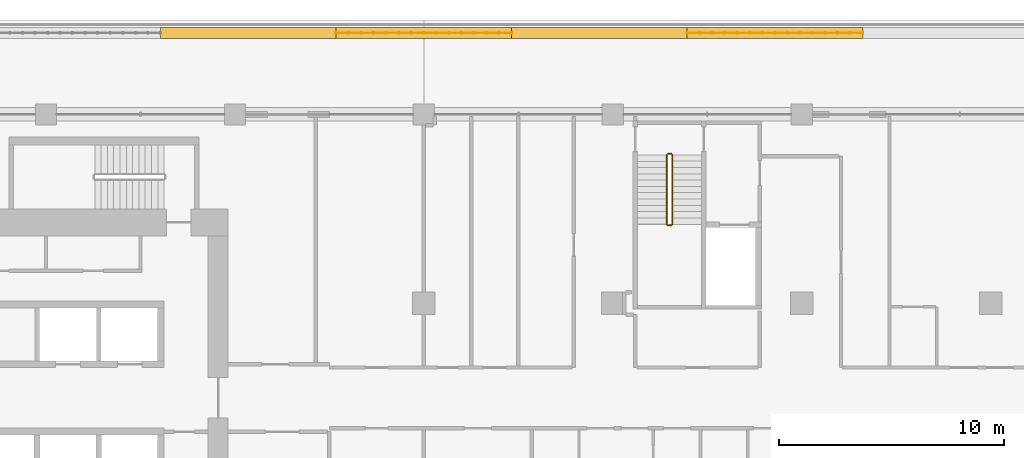
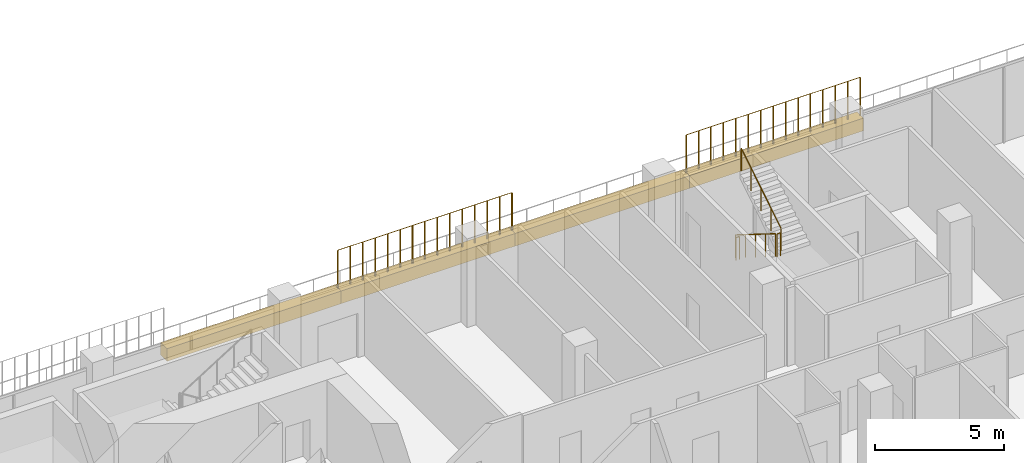
# One storey, part 21 of 22: 6 railings, 4 coverings.
"""IFC4 building model written with IfcOpenShell, lengths in metres."""

from ifc_helpers import new_model, si_unit, direction, frame, origin, origin_2d, place, context, subcontext, project, spatial, rectangle, circle, extrude, material, material_profile, profile_set, type_object, element, save


model = new_model("IFC4")

# Units and contexts
model_context = context("Model", 3, precision=1e-05, world=origin(), true_north=direction((0.0, 1.0)))
body_context = subcontext(model_context, "Body", "Model", "MODEL_VIEW")
ifc_project = project(units=[si_unit("LENGTHUNIT", "METRE"), si_unit("AREAUNIT", "SQUARE_METRE"), si_unit("VOLUMEUNIT", "CUBIC_METRE"), si_unit("PLANEANGLEUNIT", "RADIAN"), si_unit("MASSUNIT", "GRAM", prefix="KILO")], contexts=[model_context])

# Site, building, storey
site_placement = place(None, origin())
site = spatial("IfcSite", under=ifc_project, at=site_placement, CompositionType="ELEMENT")
building_placement = place(site_placement, origin())
building = spatial("IfcBuilding", under=site, at=building_placement, Name="Kawkab Arch Medical Tower", CompositionType="ELEMENT")
storey_placement = place(building_placement, frame((0.0, 0.0, 208.800048828125)))
storey = spatial("IfcBuildingStorey", under=building, at=storey_placement, Name="L48", CompositionType="ELEMENT", Elevation=208.800048828125)

# Coverings
ifc_material_1 = material(Name="Planting soil in a precast trough", Category="concrete")
ifc_material_profile = material_profile(ifc_material_1, rectangle(XDim=0.5, YDim=0.60009765625, at=origin_2d()), Name="Trough 500x600")
ifc_profile_set = profile_set([ifc_material_profile], Name="Planting soil in a precast trough")
covering_type = type_object("IfcCoveringType", Name="Planter trough 500 x 600", PredefinedType="USERDEFINED", material=ifc_profile_set)
covering_1_placement = place(storey_placement, frame((21.89306640625, 3.6201171875, 0.300048828125), z_axis=(1.0, 0.0, 0.0), x_axis=(0.0, 1.0, 0.0)))
element("IfcCovering", 1, at=covering_1_placement, inside=storey, type_object=covering_type, Name="Planter L48.LOG-01-01.20", ObjectType="PLANTER", PredefinedType="USERDEFINED", context=body_context, shape_type="SweptSolid", body=[
    extrude(rectangle(XDim=0.5, YDim=0.60009765625, at=origin_2d()), origin(), (0.0, 0.0, 1.0), 7.804931640625),
])
covering_2_placement = place(storey_placement, frame((29.697998046875, 3.6201171875, 0.300048828125), z_axis=(1.0, 0.0, 0.0), x_axis=(0.0, 1.0, 0.0)))
element("IfcCovering", 2, at=covering_2_placement, inside=storey, type_object=covering_type, Name="Planter L48.LOG-01-01.21", ObjectType="PLANTER", PredefinedType="USERDEFINED", context=body_context, shape_type="SweptSolid", body=[
    extrude(rectangle(XDim=0.5, YDim=0.60009765625, at=origin_2d()), origin(), (0.0, 0.0, 1.0), 7.803955078125),
])
covering_3_placement = place(storey_placement, frame((37.501953125, 3.6201171875, 0.300048828125), z_axis=(1.0, 0.0, 0.0), x_axis=(0.0, 1.0, 0.0)))
element("IfcCovering", 3, at=covering_3_placement, inside=storey, type_object=covering_type, Name="Planter L48.LOG-01-01.22", ObjectType="PLANTER", PredefinedType="USERDEFINED", context=body_context, shape_type="SweptSolid", body=[
    extrude(rectangle(XDim=0.5, YDim=0.60009765625, at=origin_2d()), origin(), (0.0, 0.0, 1.0), 7.804931640625),
])
covering_4_placement = place(storey_placement, frame((45.306884765625, 3.6201171875, 0.300048828125), z_axis=(1.0, 0.0, 0.0), x_axis=(0.0, 1.0, 0.0)))
element("IfcCovering", 4, at=covering_4_placement, inside=storey, type_object=covering_type, Name="Planter L48.LOG-01-01.23", ObjectType="PLANTER", PredefinedType="USERDEFINED", context=body_context, shape_type="SweptSolid", body=[
    extrude(rectangle(XDim=0.5, YDim=0.60009765625, at=origin_2d()), origin(), (0.0, 0.0, 1.0), 7.80517578125),
])

# Railings
ifc_material_2 = material(Name="Bronze anodised aluminium trellis for climbing plants", Category="aluminium")
railing_type_1 = type_object("IfcRailingType", Name="Planting trellis 2400", PredefinedType="USERDEFINED", material=ifc_material_2)
railing_1_placement = place(storey_placement, frame((29.697998046875, 3.6201171875, 0.0)))
element("IfcRailing", 5, at=railing_1_placement, inside=storey, type_object=railing_type_1, Name="Planting trellis L48.LOG-01-01.21", ObjectType="TRELLIS", PredefinedType="USERDEFINED", context=body_context, shape_type="SweptSolid", body=[
    extrude(circle(Radius=0.01513671875, at=origin_2d()), frame((0.0, 0.0, 2.384765625), z_axis=(1.0, 0.0, 0.0), x_axis=(0.0, 1.0, 0.0)), (0.0, 0.0, 1.0), 7.803955078125),
    extrude(circle(Radius=0.030029296875, at=origin_2d()), origin(), (0.0, 0.0, 1.0), 2.369873046875),
    extrude(circle(Radius=0.030029296875, at=origin_2d()), frame((0.557373046875, 0.0, 0.0)), (0.0, 0.0, 1.0), 2.369873046875),
    extrude(circle(Radius=0.030029296875, at=origin_2d()), frame((1.11474609375, 0.0, 0.0)), (0.0, 0.0, 1.0), 2.369873046875),
    extrude(circle(Radius=0.030029296875, at=origin_2d()), frame((1.67236328125, 0.0, 0.0)), (0.0, 0.0, 1.0), 2.369873046875),
    extrude(circle(Radius=0.030029296875, at=origin_2d()), frame((2.229736328125, 0.0, 0.0)), (0.0, 0.0, 1.0), 2.369873046875),
    extrude(circle(Radius=0.030029296875, at=origin_2d()), frame((2.787109375, 0.0, 0.0)), (0.0, 0.0, 1.0), 2.369873046875),
    extrude(circle(Radius=0.030029296875, at=origin_2d()), frame((3.344482421875, 0.0, 0.0)), (0.0, 0.0, 1.0), 2.369873046875),
    extrude(circle(Radius=0.030029296875, at=origin_2d()), frame((3.90185546875, 0.0, 0.0)), (0.0, 0.0, 1.0), 2.369873046875),
    extrude(circle(Radius=0.030029296875, at=origin_2d()), frame((4.45947265625, 0.0, 0.0)), (0.0, 0.0, 1.0), 2.369873046875),
    extrude(circle(Radius=0.030029296875, at=origin_2d()), frame((5.016845703125, 0.0, 0.0)), (0.0, 0.0, 1.0), 2.369873046875),
    extrude(circle(Radius=0.030029296875, at=origin_2d()), frame((5.57421875, 0.0, 0.0)), (0.0, 0.0, 1.0), 2.369873046875),
    extrude(circle(Radius=0.030029296875, at=origin_2d()), frame((6.131591796875, 0.0, 0.0)), (0.0, 0.0, 1.0), 2.369873046875),
    extrude(circle(Radius=0.030029296875, at=origin_2d()), frame((6.689208984375, 0.0, 0.0)), (0.0, 0.0, 1.0), 2.369873046875),
    extrude(circle(Radius=0.030029296875, at=origin_2d()), frame((7.24658203125, 0.0, 0.0)), (0.0, 0.0, 1.0), 2.369873046875),
    extrude(circle(Radius=0.030029296875, at=origin_2d()), frame((7.803955078125, 0.0, 0.0)), (0.0, 0.0, 1.0), 2.369873046875),
])
railing_2_placement = place(storey_placement, frame((45.306884765625, 3.6201171875, 0.0)))
element("IfcRailing", 6, at=railing_2_placement, inside=storey, type_object=railing_type_1, Name="Planting trellis L48.LOG-01-01.23", ObjectType="TRELLIS", PredefinedType="USERDEFINED", context=body_context, shape_type="SweptSolid", body=[
    extrude(circle(Radius=0.01513671875, at=origin_2d()), frame((0.0, 0.0, 2.384765625), z_axis=(1.0, 0.0, 0.0), x_axis=(0.0, 1.0, 0.0)), (0.0, 0.0, 1.0), 7.80517578125),
    extrude(circle(Radius=0.030029296875, at=origin_2d()), origin(), (0.0, 0.0, 1.0), 2.369873046875),
    extrude(circle(Radius=0.030029296875, at=origin_2d()), frame((0.5576171875, 0.0, 0.0)), (0.0, 0.0, 1.0), 2.369873046875),
    extrude(circle(Radius=0.030029296875, at=origin_2d()), frame((1.114990234375, 0.0, 0.0)), (0.0, 0.0, 1.0), 2.369873046875),
    extrude(circle(Radius=0.030029296875, at=origin_2d()), frame((1.672607421875, 0.0, 0.0)), (0.0, 0.0, 1.0), 2.369873046875),
    extrude(circle(Radius=0.030029296875, at=origin_2d()), frame((2.22998046875, 0.0, 0.0)), (0.0, 0.0, 1.0), 2.369873046875),
    extrude(circle(Radius=0.030029296875, at=origin_2d()), frame((2.78759765625, 0.0, 0.0)), (0.0, 0.0, 1.0), 2.369873046875),
    extrude(circle(Radius=0.030029296875, at=origin_2d()), frame((3.344970703125, 0.0, 0.0)), (0.0, 0.0, 1.0), 2.369873046875),
    extrude(circle(Radius=0.030029296875, at=origin_2d()), frame((3.902587890625, 0.0, 0.0)), (0.0, 0.0, 1.0), 2.369873046875),
    extrude(circle(Radius=0.030029296875, at=origin_2d()), frame((4.460205078125, 0.0, 0.0)), (0.0, 0.0, 1.0), 2.369873046875),
    extrude(circle(Radius=0.030029296875, at=origin_2d()), frame((5.017578125, 0.0, 0.0)), (0.0, 0.0, 1.0), 2.369873046875),
    extrude(circle(Radius=0.030029296875, at=origin_2d()), frame((5.5751953125, 0.0, 0.0)), (0.0, 0.0, 1.0), 2.369873046875),
    extrude(circle(Radius=0.030029296875, at=origin_2d()), frame((6.132568359375, 0.0, 0.0)), (0.0, 0.0, 1.0), 2.369873046875),
    extrude(circle(Radius=0.030029296875, at=origin_2d()), frame((6.690185546875, 0.0, 0.0)), (0.0, 0.0, 1.0), 2.369873046875),
    extrude(circle(Radius=0.030029296875, at=origin_2d()), frame((7.24755859375, 0.0, 0.0)), (0.0, 0.0, 1.0), 2.369873046875),
    extrude(circle(Radius=0.030029296875, at=origin_2d()), frame((7.80517578125, 0.0, 0.0)), (0.0, 0.0, 1.0), 2.369873046875),
])
ifc_material_3 = material(Name="Stainless steel", Category="steel")
railing_type_2 = type_object("IfcRailingType", Name="Stair guard 1100", PredefinedType="GUARDRAIL", material=ifc_material_3)
railing_3_placement = place(storey_placement, frame((44.39990234375, -1.800048828125, 0.175048828125)))
element("IfcRailing", 7, at=railing_3_placement, inside=storey, type_object=railing_type_2, Name="L48 ST5 stair guard 1", PredefinedType="GUARDRAIL", context=body_context, shape_type="SweptSolid", body=[
    extrude(circle(Radius=0.02392578125, at=origin_2d()), frame((0.0, 0.0, 1.076171875), z_axis=(0.0, -0.848009633417, 0.529980812513), x_axis=(1.0, 0.0, 0.0)), (0.0, 0.0, 1.0), 3.6318359375),
    extrude(circle(Radius=0.02099609375, at=origin_2d()), origin(), (0.0, 0.0, 1.0), 1.052001953125),
    extrude(circle(Radius=0.02099609375, at=origin_2d()), frame((0.0, -0.77001953125, 0.481201171875)), (0.0, 0.0, 1.0), 1.052001953125),
    extrude(circle(Radius=0.02099609375, at=origin_2d()), frame((0.0, -1.5400390625, 0.96240234375)), (0.0, 0.0, 1.0), 1.052001953125),
    extrude(circle(Radius=0.02099609375, at=origin_2d()), frame((0.0, -2.309814453125, 1.443603515625)), (0.0, 0.0, 1.0), 1.052001953125),
    extrude(circle(Radius=0.02099609375, at=origin_2d()), frame((0.0, -3.079833984375, 1.9248046875)), (0.0, 0.0, 1.0), 1.052001953125),
])
railing_4_placement = place(storey_placement, frame((44.449951171875, -4.929931640625, 2.099853515625)))
element("IfcRailing", 8, at=railing_4_placement, inside=storey, type_object=railing_type_2, Name="L48 ST5 stair guard 2", PredefinedType="GUARDRAIL", context=body_context, shape_type="SweptSolid", body=[
    extrude(circle(Radius=0.02392578125, at=origin_2d()), frame((0.0, 0.0, 1.076171875), z_axis=(1.0, 0.0, 0.0), x_axis=(0.0, 1.0, 0.0)), (0.0, 0.0, 1.0), 0.150146484375),
    extrude(circle(Radius=0.02099609375, at=origin_2d()), origin(), (0.0, 0.0, 1.0), 1.052001953125),
    extrude(circle(Radius=0.02099609375, at=origin_2d()), frame((0.150146484375, 0.0, 0.0)), (0.0, 0.0, 1.0), 1.052001953125),
])
railing_5_placement = place(storey_placement, frame((44.64990234375, -4.8798828125, 2.27490234375)))
element("IfcRailing", 9, at=railing_5_placement, inside=storey, type_object=railing_type_2, Name="L48 ST5 stair guard 3", PredefinedType="GUARDRAIL", context=body_context, shape_type="SweptSolid", body=[
    extrude(circle(Radius=0.02392578125, at=origin_2d()), frame((0.0, 0.0, 1.076171875), z_axis=(0.0, 0.847979421464, 0.530029150871), x_axis=(-1.0, 0.0, 0.0)), (0.0, 0.0, 1.0), 3.632080078125),
    extrude(circle(Radius=0.02099609375, at=origin_2d()), origin(), (0.0, 0.0, 1.0), 1.052001953125),
    extrude(circle(Radius=0.02099609375, at=origin_2d()), frame((0.0, 0.77001953125, 0.481201171875)), (0.0, 0.0, 1.0), 1.052001953125),
    extrude(circle(Radius=0.02099609375, at=origin_2d()), frame((0.0, 1.5400390625, 0.96240234375)), (0.0, 0.0, 1.0), 1.052001953125),
    extrude(circle(Radius=0.02099609375, at=origin_2d()), frame((0.0, 2.309814453125, 1.44384765625)), (0.0, 0.0, 1.0), 1.052001953125),
    extrude(circle(Radius=0.02099609375, at=origin_2d()), frame((0.0, 3.079833984375, 1.925048828125)), (0.0, 0.0, 1.0), 1.052001953125),
])
railing_6_placement = place(storey_placement, frame((44.449951171875, -1.75, 0.0)))
element("IfcRailing", 10, at=railing_6_placement, inside=storey, type_object=railing_type_2, Name="L48 ST5 stair guard 4", PredefinedType="GUARDRAIL", context=body_context, shape_type="SweptSolid", body=[
    extrude(circle(Radius=0.02392578125, at=origin_2d()), frame((0.0, 0.0, 1.076171875), z_axis=(1.0, 0.0, 0.0), x_axis=(0.0, 1.0, 0.0)), (0.0, 0.0, 1.0), 0.150146484375),
    extrude(circle(Radius=0.02099609375, at=origin_2d()), origin(), (0.0, 0.0, 1.0), 1.052001953125),
    extrude(circle(Radius=0.02099609375, at=origin_2d()), frame((0.150146484375, 0.0, 0.0)), (0.0, 0.0, 1.0), 1.052001953125),
])

save(model, "model.ifc")
